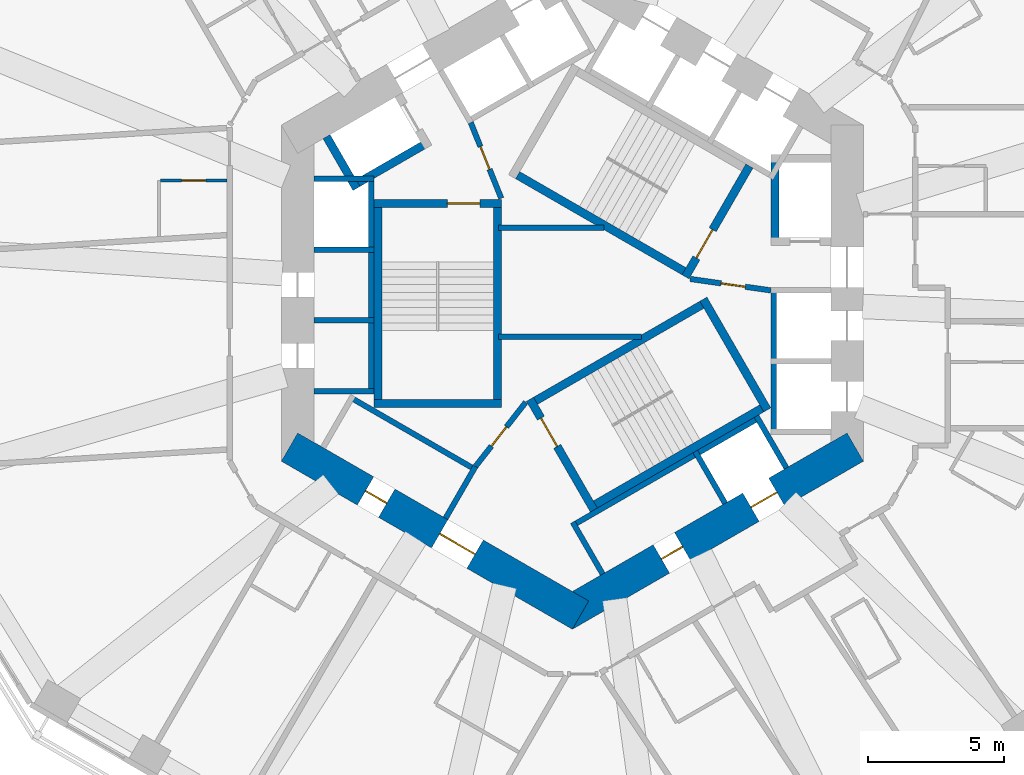
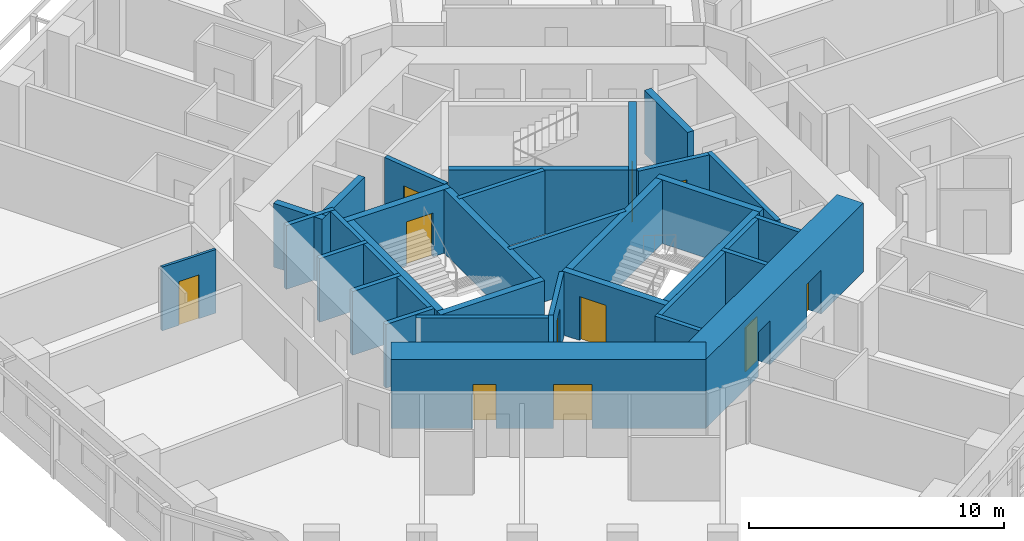
# One storey, part 5 of 12: 33 walls, 11 doors, 11 openings.
"""IFC4 building model written with IfcOpenShell, lengths in metres."""

from ifc_helpers import new_model, si_unit, direction, frame, frame_2d, origin, place, context, subcontext, project, spatial, rectangle, extrude, material, layer, layer_set, type_object, element, fill, save


model = new_model("IFC4")

# Units and contexts
model_context = context("Model", 3, precision=1e-05, world=origin(), true_north=direction((0.0, 1.0)))
body_context = subcontext(model_context, "Body", "Model", "MODEL_VIEW")
ifc_project = project(units=[si_unit("LENGTHUNIT", "METRE"), si_unit("AREAUNIT", "SQUARE_METRE"), si_unit("VOLUMEUNIT", "CUBIC_METRE"), si_unit("PLANEANGLEUNIT", "RADIAN"), si_unit("MASSUNIT", "GRAM", prefix="KILO")], contexts=[model_context])

# Site, building, storey
site_placement = place(None, origin())
site = spatial("IfcSite", under=ifc_project, at=site_placement, CompositionType="ELEMENT")
building_placement = place(site_placement, origin())
building = spatial("IfcBuilding", under=site, at=building_placement, Name="Vanh Sen Convention Tower", CompositionType="ELEMENT")
storey_placement = place(building_placement, frame((0.0, 0.0, 83.60009765625)))
storey = spatial("IfcBuildingStorey", under=building, at=storey_placement, Name="L18", CompositionType="ELEMENT", Elevation=83.60009765625)

# Wall, opening, door
ifc_material_1 = material(Name="Moisture-resistant gypsum board on steel studs", Category="steel")
ifc_layer_1 = layer(ifc_material_1, 0.1201171875)
ifc_layer_set_1 = layer_set([ifc_layer_1], Name="Moisture-resistant gypsum board on steel studs")
wall_type_1 = type_object("IfcWallType", Name="Bathroom partition 120", PredefinedType="PARTITIONING", material=ifc_layer_set_1)
wall_1_placement = place(storey_placement, frame((-15.139892578125, 4.139404296875, 0.0), z_axis=(0.0, 0.0, 1.0), x_axis=(1.0, 0.0, 0.0)))
wall_1 = element("IfcWall", 1, at=wall_1_placement, inside=storey, type_object=wall_type_1, Name="Bathroom partition 120", PredefinedType="PARTITIONING", context=body_context, shape_type="SweptSolid", body=[
    extrude(rectangle(XDim=2.43994140625, YDim=0.1201171875, at=frame_2d((1.219970703125, 0.0))), origin(), (0.0, 0.0, 1.0), 3.0498046875),
])
opening_1_placement = place(wall_1_placement, frame((0.77001953125, 0.0, 0.0)))
opening_1 = element("IfcOpeningElement", 2, at=opening_1_placement, cuts=wall_1, Name="Opening D16122", PredefinedType="OPENING", context=body_context, shape_type="SweptSolid", body=[
    extrude(rectangle(XDim=0.89990234375, YDim=2.10009765625, at=frame_2d((0.449951171875, 1.050048828125))), frame((0.0, 0.070068359375, 0.0), z_axis=(0.0, -1.0, 0.0), x_axis=(1.0, 0.0, 0.0)), (0.0, 0.0, 1.0), 0.14013671875),
])
ifc_material_2 = material(Name="Laminate door in steel frame", Category="steel")
door_type_1 = type_object("IfcDoorType", Name="En-suite door 900", OperationType="SINGLE_SWING_LEFT", PredefinedType="DOOR", material=ifc_material_2)
door_1_placement = place(opening_1_placement, origin())
door_1 = element("IfcDoor", 3, at=door_1_placement, inside=storey, type_object=door_type_1, Name="En-suite door D16122", OperationType="SINGLE_SWING_LEFT", OverallHeight=2.10009765625, OverallWidth=0.89990234375, PredefinedType="DOOR", context=body_context, shape_type="SweptSolid", body=[
    extrude(rectangle(XDim=0.89990234375, YDim=2.10009765625, at=frame_2d((0.449951171875, 1.050048828125))), frame((0.0, 0.02490234375, 0.0), z_axis=(0.0, -1.0, 0.0), x_axis=(1.0, 0.0, 0.0)), (0.0, 0.0, 1.0), 0.050048828125),
])
fill(opening_1, door_1)

# Wall, openings, doors
ifc_material_3 = material(Name="Concrete C80/95", Category="concrete")
ifc_layer_2 = layer(ifc_material_3, 1.199951171875)
ifc_layer_set_2 = layer_set([ifc_layer_2], Name="Concrete C80/95")
wall_type_2 = type_object("IfcWallType", Name="Core outer wall 1200 C80/95", PredefinedType="SHEAR", material=ifc_layer_set_2)
wall_2_placement = place(storey_placement, frame((-10.39990234375, -5.657958984375, 0.0), z_axis=(0.0, 0.0, 1.0), x_axis=(0.866021384402, -0.500006961711, 0.0)))
wall_2 = element("IfcWall", 4, at=wall_2_placement, inside=storey, type_object=wall_type_2, Name="Core wall face SW L18", PredefinedType="SHEAR", context=body_context, shape_type="SweptSolid", body=[
    extrude(rectangle(XDim=12.355224609375, YDim=1.199951171875, at=frame_2d((6.177734375, 0.0))), origin(), (0.0, 0.0, 1.0), 3.2998046875),
])
opening_2_placement = place(wall_2_placement, frame((6.377685546875, 0.0, 0.0)))
opening_2 = element("IfcOpeningElement", 5, at=opening_2_placement, cuts=wall_2, Name="Opening D16003", PredefinedType="OPENING", context=body_context, shape_type="SweptSolid", body=[
    extrude(rectangle(XDim=1.5, YDim=2.10009765625, at=frame_2d((0.75, 1.050048828125))), frame((0.0, 0.60986328125, 0.0), z_axis=(0.0, -1.0, 0.0), x_axis=(1.0, 0.0, 0.0)), (0.0, 0.0, 1.0), 1.219970703125),
])
opening_3_placement = place(wall_2_placement, frame((3.227783203125, 0.0, 0.0)))
opening_3 = element("IfcOpeningElement", 6, at=opening_3_placement, cuts=wall_2, Name="Opening D16012", PredefinedType="OPENING", context=body_context, shape_type="SweptSolid", body=[
    extrude(rectangle(XDim=0.89990234375, YDim=2.10009765625, at=frame_2d((0.449951171875, 1.050048828125))), frame((0.0, 0.60986328125, 0.0), z_axis=(0.0, -1.0, 0.0), x_axis=(1.0, 0.0, 0.0)), (0.0, 0.0, 1.0), 1.219970703125),
])
ifc_material_4 = material(Name="Steel S355", Category="steel")
door_type_2 = type_object("IfcDoorType", Name="Plant door 900", OperationType="SINGLE_SWING_LEFT", PredefinedType="DOOR", material=ifc_material_4)
door_2_placement = place(opening_3_placement, origin())
door_2 = element("IfcDoor", 7, at=door_2_placement, inside=storey, type_object=door_type_2, Name="Plant door D16012", OperationType="SINGLE_SWING_LEFT", OverallHeight=2.10009765625, OverallWidth=0.89990234375, PredefinedType="DOOR", context=body_context, shape_type="SweptSolid", body=[
    extrude(rectangle(XDim=0.89990234375, YDim=2.10009765625, at=frame_2d((0.449951171875, 1.050048828125))), frame((0.0, 0.02490234375, 0.0), z_axis=(0.0, -1.0, 0.0), x_axis=(1.0, 0.0, 0.0)), (0.0, 0.0, 1.0), 0.050048828125),
])
fill(opening_3, door_2)
door_type_3 = type_object("IfcDoorType", Name="Stair lobby door 1500", OperationType="DOUBLE_DOOR_SINGLE_SWING", PredefinedType="DOOR", material=ifc_material_4)
door_3_placement = place(opening_2_placement, origin())
door_3 = element("IfcDoor", 8, at=door_3_placement, inside=storey, type_object=door_type_3, Name="Stair lobby door D16003", OperationType="DOUBLE_DOOR_SINGLE_SWING", OverallHeight=2.10009765625, OverallWidth=1.5, PredefinedType="DOOR", context=body_context, shape_type="SweptSolid", body=[
    extrude(rectangle(XDim=1.5, YDim=2.10009765625, at=frame_2d((0.75, 1.050048828125))), frame((0.0, 0.02490234375, 0.0), z_axis=(0.0, -1.0, 0.0), x_axis=(1.0, 0.0, 0.0)), (0.0, 0.0, 1.0), 0.050048828125),
])
fill(opening_2, door_3)

wall_3_placement = place(storey_placement, frame((-0.300048828125, -11.835693359375, 0.0), z_axis=(0.0, 0.0, 1.0), x_axis=(0.866021384402, 0.500006961711, 0.0)))
wall_3 = element("IfcWall", 9, at=wall_3_placement, inside=storey, type_object=wall_type_2, Name="Core wall face SE L18", PredefinedType="SHEAR", context=body_context, shape_type="SweptSolid", body=[
    extrude(rectangle(XDim=12.355224609375, YDim=1.199951171875, at=frame_2d((6.177734375, 0.0))), origin(), (0.0, 0.0, 1.0), 3.2998046875),
])
opening_4_placement = place(wall_3_placement, frame((4.127685546875, 0.0, 0.0)))
opening_4 = element("IfcOpeningElement", 10, at=opening_4_placement, cuts=wall_3, Name="Opening D16013", PredefinedType="OPENING", context=body_context, shape_type="SweptSolid", body=[
    extrude(rectangle(XDim=0.89990234375, YDim=2.10009765625, at=frame_2d((0.449951171875, 1.050048828125))), frame((0.0, 0.60986328125, 0.0), z_axis=(0.0, -1.0, 0.0), x_axis=(1.0, 0.0, 0.0)), (0.0, 0.0, 1.0), 1.219970703125),
])
opening_5_placement = place(wall_3_placement, frame((7.927734375, 0.0, 0.0)))
opening_5 = element("IfcOpeningElement", 11, at=opening_5_placement, cuts=wall_3, Name="Opening LD-SV1", PredefinedType="OPENING", context=body_context, shape_type="SweptSolid", body=[
    extrude(rectangle(XDim=1.10009765625, YDim=2.10009765625, at=frame_2d((0.550048828125, 1.050048828125))), frame((0.0, 0.60986328125, 0.0), z_axis=(0.0, -1.0, 0.0), x_axis=(1.0, 0.0, 0.0)), (0.0, 0.0, 1.0), 1.219970703125),
])
ifc_material_5 = material(Name="Stainless steel", Category="steel")
door_type_4 = type_object("IfcDoorType", Name="Lift landing door 1100", OperationType="DOUBLE_DOOR_SLIDING", PredefinedType="DOOR", material=ifc_material_5)
door_4_placement = place(opening_5_placement, origin())
door_4 = element("IfcDoor", 12, at=door_4_placement, inside=storey, type_object=door_type_4, Name="Lift SV1 landing door LD-SV1", OperationType="DOUBLE_DOOR_SLIDING", OverallHeight=2.10009765625, OverallWidth=1.10009765625, PredefinedType="DOOR", context=body_context, shape_type="SweptSolid", body=[
    extrude(rectangle(XDim=1.10009765625, YDim=2.10009765625, at=frame_2d((0.550048828125, 1.050048828125))), frame((0.0, 0.02490234375, 0.0), z_axis=(0.0, -1.0, 0.0), x_axis=(1.0, 0.0, 0.0)), (0.0, 0.0, 1.0), 0.050048828125),
])
fill(opening_5, door_4)
door_5_placement = place(opening_4_placement, origin())
door_5 = element("IfcDoor", 13, at=door_5_placement, inside=storey, type_object=door_type_2, Name="Plant door D16013", OperationType="SINGLE_SWING_LEFT", OverallHeight=2.10009765625, OverallWidth=0.89990234375, PredefinedType="DOOR", context=body_context, shape_type="SweptSolid", body=[
    extrude(rectangle(XDim=0.89990234375, YDim=2.10009765625, at=frame_2d((0.449951171875, 1.050048828125))), frame((0.0, 0.02490234375, 0.0), z_axis=(0.0, -1.0, 0.0), x_axis=(1.0, 0.0, 0.0)), (0.0, 0.0, 1.0), 0.050048828125),
])
fill(opening_4, door_5)

# Walls
ifc_material_6 = material(Name="Masonry blockwork", Category="masonry")
ifc_layer_3 = layer(ifc_material_6, 0.199951171875)
ifc_layer_set_3 = layer_set([ifc_layer_3], Name="Masonry blockwork")
wall_type_3 = type_object("IfcWallType", Name="Core partition 200", PredefinedType="PARTITIONING", material=ifc_layer_set_3)
wall_4_placement = place(storey_placement, frame((-2.719970703125, -1.60009765625, 0.0), z_axis=(0.0, 0.0, 1.0), x_axis=(1.0, 0.0, 0.0)))
element("IfcWall", 14, at=wall_4_placement, inside=storey, type_object=wall_type_3, Name="Core partition L18", PredefinedType="PARTITIONING", context=body_context, shape_type="SweptSolid", body=[
    extrude(rectangle(XDim=5.2685546875, YDim=0.199951171875, at=frame_2d((2.63427734375, 0.0))), origin(), (0.0, 0.0, 1.0), 3.0498046875),
])
wall_5_placement = place(storey_placement, frame((-2.719970703125, 2.39990234375, 0.0), z_axis=(0.0, 0.0, 1.0), x_axis=(1.0, 0.0, 0.0)))
element("IfcWall", 15, at=wall_5_placement, inside=storey, type_object=wall_type_3, Name="Core partition L18", PredefinedType="PARTITIONING", context=body_context, shape_type="SweptSolid", body=[
    extrude(rectangle(XDim=3.883056640625, YDim=0.199951171875, at=frame_2d((1.94140625, 0.0))), origin(), (0.0, 0.0, 1.0), 3.0498046875),
])
ifc_material_7 = material(Name="Concrete C60/75", Category="concrete")
ifc_layer_4 = layer(ifc_material_7, 0.300048828125)
ifc_layer_set_4 = layer_set([ifc_layer_4], Name="Concrete C60/75")
wall_type_4 = type_object("IfcWallType", Name="Fire-fighting lift shaft wall 300", PredefinedType="SHEAR", material=ifc_layer_set_4)
wall_6_placement = place(storey_placement, frame((7.449951171875, 1.75, 0.0), z_axis=(0.0, 0.0, 1.0), x_axis=(0.0, 1.0, 0.0)))
element("IfcWall", 16, at=wall_6_placement, inside=storey, type_object=wall_type_4, Name="Fire-fighting lift shaft wall L18", PredefinedType="SHEAR", context=body_context, shape_type="SweptSolid", body=[
    extrude(rectangle(XDim=3.35009765625, YDim=0.300048828125, at=frame_2d((1.675048828125, 0.0))), origin(), (0.0, 0.0, 1.0), 3.0498046875),
])
wall_7_placement = place(storey_placement, frame((-5.240478515625, 5.576904296875, 0.0), z_axis=(0.0, 0.0, 1.0), x_axis=(-0.866014461049, -0.500018952895, 0.0)))
element("IfcWall", 17, at=wall_7_placement, inside=storey, type_object=wall_type_4, Name="Fire-fighting lift shaft wall L18", PredefinedType="SHEAR", context=body_context, shape_type="SweptSolid", body=[
    extrude(rectangle(XDim=3.349853515625, YDim=0.300048828125, at=frame_2d((1.6748046875, 0.0))), origin(), (0.0, 0.0, 1.0), 3.0498046875),
])
wall_8_placement = place(storey_placement, frame((-7.936767578125, 3.846923828125, 0.0), z_axis=(0.0, 0.0, 1.0), x_axis=(-0.50002983664, 0.866008176907, 0.0)))
element("IfcWall", 18, at=wall_8_placement, inside=storey, type_object=wall_type_4, Name="Fire-fighting lift shaft wall L18", PredefinedType="SHEAR", context=body_context, shape_type="SweptSolid", body=[
    extrude(rectangle(XDim=2.199951171875, YDim=0.300048828125, at=frame_2d((1.10009765625, 0.0))), origin(), (0.0, 0.0, 1.0), 3.0498046875),
])
ifc_material_8 = material(Name="Concrete C40/50", Category="concrete")
ifc_layer_5 = layer(ifc_material_8, 0.199951171875)
ifc_layer_set_5 = layer_set([ifc_layer_5], Name="Concrete C40/50")
wall_type_5 = type_object("IfcWallType", Name="Lift shaft wall 200", PredefinedType="PARTITIONING", material=ifc_layer_set_5)
wall_9_placement = place(storey_placement, frame((7.39990234375, -5.199951171875, 0.0), z_axis=(0.0, 0.0, 1.0), x_axis=(0.0, 1.0, 0.0)))
element("IfcWall", 19, at=wall_9_placement, inside=storey, type_object=wall_type_5, Name="Lift shaft wall L18", PredefinedType="PARTITIONING", context=body_context, shape_type="SweptSolid", body=[
    extrude(rectangle(XDim=5.39990234375, YDim=0.199951171875, at=frame_2d((2.699951171875, 0.0))), origin(), (0.0, 0.0, 1.0), 3.0498046875),
])
wall_10_placement = place(storey_placement, frame((-7.39990234375, 4.300048828125, 0.0), z_axis=(0.0, 0.0, 1.0), x_axis=(0.0, -1.0, 0.0)))
element("IfcWall", 20, at=wall_10_placement, inside=storey, type_object=wall_type_5, Name="Lift shaft wall L18", PredefinedType="PARTITIONING", context=body_context, shape_type="SweptSolid", body=[
    extrude(rectangle(XDim=8.0, YDim=0.199951171875, at=frame_2d((4.0, 0.0))), origin(), (0.0, 0.0, 1.0), 3.0498046875),
])
for number, where, z_axis, x_axis, name in (
    (21, (-7.300048828125, 4.199951171875, 0.0), (0.0, 0.0, 1.0), (-1.0, 0.0, 0.0), "Lift shaft wall L18"),
    (22, (-7.300048828125, 1.60009765625, 0.0), (0.0, 0.0, 1.0), (-1.0, 0.0, 0.0), "Lift shaft wall L18"),
    (23, (-7.300048828125, -1.0, 0.0), (0.0, 0.0, 1.0), (-1.0, 0.0, 0.0), "Lift shaft wall L18"),
    (24, (-7.300048828125, -3.60009765625, 0.0), (0.0, 0.0, 1.0), (-1.0, 0.0, 0.0), "Lift shaft wall L18"),
):
    element("IfcWall", number, at=place(storey_placement, frame(where, z_axis=z_axis, x_axis=x_axis)), inside=storey, type_object=wall_type_5, Name=name, PredefinedType="PARTITIONING", context=body_context, shape_type="SweptSolid", body=[
        extrude(rectangle(XDim=2.199951171875, YDim=0.199951171875, at=frame_2d((1.10009765625, 0.0))), origin(), (0.0, 0.0, 1.0), 3.0498046875),
    ])
wall_11_placement = place(storey_placement, frame((-8.203369140625, -3.80859375, 0.0), z_axis=(0.0, 0.0, 1.0), x_axis=(0.866028230842, -0.499995103361, 0.0)))
element("IfcWall", 25, at=wall_11_placement, inside=storey, type_object=wall_type_5, Name="Lift shaft wall L18", PredefinedType="PARTITIONING", context=body_context, shape_type="SweptSolid", body=[
    extrude(rectangle(XDim=5.39990234375, YDim=0.199951171875, at=frame_2d((2.699951171875, 0.0))), origin(), (0.0, 0.0, 1.0), 3.0498046875),
])
wall_12_placement = place(storey_placement, frame((-3.5634765625, -6.3720703125, 0.0), z_axis=(0.0, 0.0, 1.0), x_axis=(-0.499994660107, -0.866028486751, 0.0)))
element("IfcWall", 26, at=wall_12_placement, inside=storey, type_object=wall_type_5, Name="Lift shaft wall L18", PredefinedType="PARTITIONING", context=body_context, shape_type="SweptSolid", body=[
    extrude(rectangle(XDim=2.19970703125, YDim=0.199951171875, at=frame_2d((1.099853515625, 0.0))), origin(), (0.0, 0.0, 1.0), 3.0498046875),
])
wall_13_placement = place(storey_placement, frame((-0.02392578125, -8.55859375, 0.0), z_axis=(0.0, 0.0, 1.0), x_axis=(0.866026010844, 0.49999894854, 0.0)))
element("IfcWall", 27, at=wall_13_placement, inside=storey, type_object=wall_type_5, Name="Lift shaft wall L18", PredefinedType="PARTITIONING", context=body_context, shape_type="SweptSolid", body=[
    extrude(rectangle(XDim=8.0, YDim=0.199951171875, at=frame_2d((4.0, 0.0))), origin(), (0.0, 0.0, 1.0), 3.0498046875),
])
for number, where, z_axis, x_axis, name in (
    (28, (0.0126953125, -8.422119140625, 0.0), (0.0, 0.0, 1.0), (0.500077893725, -0.86598042715, 0.0), "Lift shaft wall L18"),
    (29, (4.51611328125, -5.822021484375, 0.0), (0.0, 0.0, 1.0), (0.499946605688, -0.86605622881, 0.0), "Lift shaft wall L18"),
    (30, (6.767578125, -4.52197265625, 0.0), (0.0, 0.0, 1.0), (0.50002983664, -0.866008176907, 0.0), "Lift shaft wall L18"),
):
    element("IfcWall", number, at=place(storey_placement, frame(where, z_axis=z_axis, x_axis=x_axis)), inside=storey, type_object=wall_type_5, Name=name, PredefinedType="PARTITIONING", context=body_context, shape_type="SweptSolid", body=[
        extrude(rectangle(XDim=2.199951171875, YDim=0.199951171875, at=frame_2d((1.10009765625, 0.0))), origin(), (0.0, 0.0, 1.0), 3.0498046875),
    ])

# Wall, opening, door
ifc_layer_6 = layer(ifc_material_8, 0.199951171875)
ifc_layer_set_6 = layer_set([ifc_layer_6], Name="Concrete C40/50")
wall_type_6 = type_object("IfcWallType", Name="Stair lobby wall 200", PredefinedType="PARTITIONING", material=ifc_layer_set_6)
wall_14_placement = place(storey_placement, frame((4.327392578125, 0.52099609375, 0.0), z_axis=(0.0, 0.0, 1.0), x_axis=(0.990124376366, -0.14019172346, 0.0)))
wall_14 = element("IfcWall", 31, at=wall_14_placement, inside=storey, type_object=wall_type_6, Name="Stair lobby wall L18", PredefinedType="PARTITIONING", context=body_context, shape_type="SweptSolid", body=[
    extrude(rectangle(XDim=3.002197265625, YDim=0.199951171875, at=frame_2d((1.5009765625, 0.0))), origin(), (0.0, 0.0, 1.0), 3.0498046875),
])
opening_6_placement = place(wall_14_placement, frame((1.14990234375, 0.0, 0.0)))
opening_6 = element("IfcOpeningElement", 32, at=opening_6_placement, cuts=wall_14, Name="Opening D16007", PredefinedType="OPENING", context=body_context, shape_type="SweptSolid", body=[
    extrude(rectangle(XDim=0.89990234375, YDim=2.10009765625, at=frame_2d((0.449951171875, 1.050048828125))), frame((0.0, 0.10986328125, 0.0), z_axis=(0.0, -1.0, 0.0), x_axis=(1.0, 0.0, 0.0)), (0.0, 0.0, 1.0), 0.219970703125),
])
door_6_placement = place(opening_6_placement, origin())
door_6 = element("IfcDoor", 33, at=door_6_placement, inside=storey, type_object=door_type_2, Name="Plant door D16007", OperationType="SINGLE_SWING_LEFT", OverallHeight=2.10009765625, OverallWidth=0.89990234375, PredefinedType="DOOR", context=body_context, shape_type="SweptSolid", body=[
    extrude(rectangle(XDim=0.89990234375, YDim=2.10009765625, at=frame_2d((0.449951171875, 1.050048828125))), frame((0.0, 0.02490234375, 0.0), z_axis=(0.0, -1.0, 0.0), x_axis=(1.0, 0.0, 0.0)), (0.0, 0.0, 1.0), 0.050048828125),
])
fill(opening_6, door_6)

wall_15_placement = place(storey_placement, frame((-2.614990234375, 3.487060546875, 0.0), z_axis=(0.0, 0.0, 1.0), x_axis=(-0.373576831041, 0.92759924068, 0.0)))
wall_15 = element("IfcWall", 34, at=wall_15_placement, inside=storey, type_object=wall_type_6, Name="Stair lobby wall L18", PredefinedType="PARTITIONING", context=body_context, shape_type="SweptSolid", body=[
    extrude(rectangle(XDim=3.002197265625, YDim=0.199951171875, at=frame_2d((1.5009765625, 0.0))), origin(), (0.0, 0.0, 1.0), 3.0498046875),
])
opening_7_placement = place(wall_15_placement, frame((1.14990234375, 0.0, 0.0)))
opening_7 = element("IfcOpeningElement", 35, at=opening_7_placement, cuts=wall_15, Name="Opening D16008", PredefinedType="OPENING", context=body_context, shape_type="SweptSolid", body=[
    extrude(rectangle(XDim=0.89990234375, YDim=2.10009765625, at=frame_2d((0.449951171875, 1.050048828125))), frame((0.0, 0.10986328125, 0.0), z_axis=(0.0, -1.0, 0.0), x_axis=(1.0, 0.0, 0.0)), (0.0, 0.0, 1.0), 0.219970703125),
])
door_7_placement = place(opening_7_placement, origin())
door_7 = element("IfcDoor", 36, at=door_7_placement, inside=storey, type_object=door_type_2, Name="Plant door D16008", OperationType="SINGLE_SWING_LEFT", OverallHeight=2.10009765625, OverallWidth=0.89990234375, PredefinedType="DOOR", context=body_context, shape_type="SweptSolid", body=[
    extrude(rectangle(XDim=0.89990234375, YDim=2.10009765625, at=frame_2d((0.449951171875, 1.050048828125))), frame((0.0, 0.02490234375, 0.0), z_axis=(0.0, -1.0, 0.0), x_axis=(1.0, 0.0, 0.0)), (0.0, 0.0, 1.0), 0.050048828125),
])
fill(opening_7, door_7)

wall_16_placement = place(storey_placement, frame((-1.71240234375, -4.00830078125, 0.0), z_axis=(0.0, 0.0, 1.0), x_axis=(-0.616549420702, -0.787316208287, 0.0)))
wall_16 = element("IfcWall", 37, at=wall_16_placement, inside=storey, type_object=wall_type_6, Name="Stair lobby wall L18", PredefinedType="PARTITIONING", context=body_context, shape_type="SweptSolid", body=[
    extrude(rectangle(XDim=3.002197265625, YDim=0.199951171875, at=frame_2d((1.5009765625, 0.0))), origin(), (0.0, 0.0, 1.0), 3.0498046875),
])
opening_8_placement = place(wall_16_placement, frame((1.14990234375, 0.0, 0.0)))
opening_8 = element("IfcOpeningElement", 38, at=opening_8_placement, cuts=wall_16, Name="Opening D16009", PredefinedType="OPENING", context=body_context, shape_type="SweptSolid", body=[
    extrude(rectangle(XDim=0.89990234375, YDim=2.10009765625, at=frame_2d((0.449951171875, 1.050048828125))), frame((0.0, 0.10986328125, 0.0), z_axis=(0.0, -1.0, 0.0), x_axis=(1.0, 0.0, 0.0)), (0.0, 0.0, 1.0), 0.219970703125),
])
door_8_placement = place(opening_8_placement, origin())
door_8 = element("IfcDoor", 39, at=door_8_placement, inside=storey, type_object=door_type_2, Name="Plant door D16009", OperationType="SINGLE_SWING_LEFT", OverallHeight=2.10009765625, OverallWidth=0.89990234375, PredefinedType="DOOR", context=body_context, shape_type="SweptSolid", body=[
    extrude(rectangle(XDim=0.89990234375, YDim=2.10009765625, at=frame_2d((0.449951171875, 1.050048828125))), frame((0.0, 0.02490234375, 0.0), z_axis=(0.0, -1.0, 0.0), x_axis=(1.0, 0.0, 0.0)), (0.0, 0.0, 1.0), 0.050048828125),
])
fill(opening_8, door_8)

ifc_layer_7 = layer(ifc_material_7, 0.300048828125)
ifc_layer_set_7 = layer_set([ifc_layer_7], Name="Concrete C60/75")
wall_type_7 = type_object("IfcWallType", Name="Stair wall 300", PredefinedType="SHEAR", material=ifc_layer_set_7)
wall_17_placement = place(storey_placement, frame((4.157958984375, 0.601806640625, 0.0), z_axis=(0.0, 0.0, 1.0), x_axis=(0.499977259774, 0.866038532462, 0.0)))
wall_17 = element("IfcWall", 40, at=wall_17_placement, inside=storey, type_object=wall_type_7, Name="Stair wall L18", PredefinedType="SHEAR", context=body_context, shape_type="SweptSolid", body=[
    extrude(rectangle(XDim=4.699951171875, YDim=0.300048828125, at=frame_2d((2.35009765625, 0.0))), origin(), (0.0, 0.0, 1.0), 3.0498046875),
])
opening_9_placement = place(wall_17_placement, frame((0.800048828125, 0.0, 0.0)))
opening_9 = element("IfcOpeningElement", 41, at=opening_9_placement, cuts=wall_17, Name="Opening D16004", PredefinedType="OPENING", context=body_context, shape_type="SweptSolid", body=[
    extrude(rectangle(XDim=1.199951171875, YDim=2.10009765625, at=frame_2d((0.60009765625, 1.050048828125))), frame((0.0, 0.159912109375, 0.0), z_axis=(0.0, -1.0, 0.0), x_axis=(1.0, 0.0, 0.0)), (0.0, 0.0, 1.0), 0.320068359375),
])
door_type_5 = type_object("IfcDoorType", Name="Stair door 1200", OperationType="SINGLE_SWING_RIGHT", PredefinedType="DOOR", material=ifc_material_4)
door_9_placement = place(opening_9_placement, origin())
door_9 = element("IfcDoor", 42, at=door_9_placement, inside=storey, type_object=door_type_5, Name="Stair ST1 door D16004", OperationType="SINGLE_SWING_RIGHT", OverallHeight=2.10009765625, OverallWidth=1.199951171875, PredefinedType="DOOR", context=body_context, shape_type="SweptSolid", body=[
    extrude(rectangle(XDim=1.199951171875, YDim=2.10009765625, at=frame_2d((0.60009765625, 1.050048828125))), frame((0.0, 0.02490234375, 0.0), z_axis=(0.0, -1.0, 0.0), x_axis=(1.0, 0.0, 0.0)), (0.0, 0.0, 1.0), 0.050048828125),
])
fill(opening_9, door_9)

# Wall
wall_18_placement = place(storey_placement, frame((4.10302734375, 0.806640625, 0.0), z_axis=(0.0, 0.0, 1.0), x_axis=(-0.866027801685, 0.499995846692, 0.0)))
element("IfcWall", 43, at=wall_18_placement, inside=storey, type_object=wall_type_7, Name="Stair wall L18", PredefinedType="SHEAR", context=body_context, shape_type="SweptSolid", body=[
    extrude(rectangle(XDim=7.06005859375, YDim=0.300048828125, at=frame_2d((3.530029296875, 0.0))), origin(), (0.0, 0.0, 1.0), 3.0498046875),
])

# Wall, opening, door
wall_19_placement = place(storey_placement, frame((-2.60009765625, 3.300048828125, 0.0), z_axis=(0.0, 0.0, 1.0), x_axis=(-1.0, 0.0, 0.0)))
wall_19 = element("IfcWall", 44, at=wall_19_placement, inside=storey, type_object=wall_type_7, Name="Stair wall L18", PredefinedType="SHEAR", context=body_context, shape_type="SweptSolid", body=[
    extrude(rectangle(XDim=4.699951171875, YDim=0.300048828125, at=frame_2d((2.35009765625, 0.0))), origin(), (0.0, 0.0, 1.0), 3.0498046875),
])
opening_10_placement = place(wall_19_placement, frame((0.800048828125, 0.0, 0.0)))
opening_10 = element("IfcOpeningElement", 45, at=opening_10_placement, cuts=wall_19, Name="Opening D16005", PredefinedType="OPENING", context=body_context, shape_type="SweptSolid", body=[
    extrude(rectangle(XDim=1.199951171875, YDim=2.10009765625, at=frame_2d((0.60009765625, 1.050048828125))), frame((0.0, 0.159912109375, 0.0), z_axis=(0.0, -1.0, 0.0), x_axis=(1.0, 0.0, 0.0)), (0.0, 0.0, 1.0), 0.320068359375),
])
door_10_placement = place(opening_10_placement, origin())
door_10 = element("IfcDoor", 46, at=door_10_placement, inside=storey, type_object=door_type_5, Name="Stair ST2 door D16005", OperationType="SINGLE_SWING_RIGHT", OverallHeight=2.10009765625, OverallWidth=1.199951171875, PredefinedType="DOOR", context=body_context, shape_type="SweptSolid", body=[
    extrude(rectangle(XDim=1.199951171875, YDim=2.10009765625, at=frame_2d((0.60009765625, 1.050048828125))), frame((0.0, 0.02490234375, 0.0), z_axis=(0.0, -1.0, 0.0), x_axis=(1.0, 0.0, 0.0)), (0.0, 0.0, 1.0), 0.050048828125),
])
fill(opening_10, door_10)

# Walls
wall_20_placement = place(storey_placement, frame((-2.60009765625, -4.06005859375, 0.0), z_axis=(0.0, 0.0, 1.0), x_axis=(-1.0, 0.0, 0.0)))
element("IfcWall", 47, at=wall_20_placement, inside=storey, type_object=wall_type_7, Name="Stair wall L18", PredefinedType="SHEAR", context=body_context, shape_type="SweptSolid", body=[
    extrude(rectangle(XDim=4.699951171875, YDim=0.300048828125, at=frame_2d((2.35009765625, 0.0))), origin(), (0.0, 0.0, 1.0), 3.0498046875),
])
for number, where, z_axis, x_axis, name in (
    (48, (-2.75, 3.14990234375, 0.0), (0.0, 0.0, 1.0), (0.0, -1.0, 0.0), "Stair wall L18"),
    (49, (-7.14990234375, 3.14990234375, 0.0), (0.0, 0.0, 1.0), (0.0, -1.0, 0.0), "Stair wall L18"),
):
    element("IfcWall", number, at=place(storey_placement, frame(where, z_axis=z_axis, x_axis=x_axis)), inside=storey, type_object=wall_type_7, Name=name, PredefinedType="SHEAR", context=body_context, shape_type="SweptSolid", body=[
        extrude(rectangle(XDim=7.059814453125, YDim=0.300048828125, at=frame_2d((3.52978515625, 0.0))), origin(), (0.0, 0.0, 1.0), 3.0498046875),
    ])

# Wall, opening, door
wall_21_placement = place(storey_placement, frame((-1.557861328125, -3.901611328125, 0.0), z_axis=(0.0, 0.0, 1.0), x_axis=(0.499977259774, -0.866038532462, 0.0)))
wall_21 = element("IfcWall", 50, at=wall_21_placement, inside=storey, type_object=wall_type_7, Name="Stair wall L18", PredefinedType="SHEAR", context=body_context, shape_type="SweptSolid", body=[
    extrude(rectangle(XDim=4.699951171875, YDim=0.300048828125, at=frame_2d((2.35009765625, 0.0))), origin(), (0.0, 0.0, 1.0), 3.0498046875),
])
opening_11_placement = place(wall_21_placement, frame((0.800048828125, 0.0, 0.0)))
opening_11 = element("IfcOpeningElement", 51, at=opening_11_placement, cuts=wall_21, Name="Opening D16006", PredefinedType="OPENING", context=body_context, shape_type="SweptSolid", body=[
    extrude(rectangle(XDim=1.199951171875, YDim=2.10009765625, at=frame_2d((0.60009765625, 1.050048828125))), frame((0.0, 0.159912109375, 0.0), z_axis=(0.0, -1.0, 0.0), x_axis=(1.0, 0.0, 0.0)), (0.0, 0.0, 1.0), 0.320068359375),
])
door_11_placement = place(opening_11_placement, origin())
door_11 = element("IfcDoor", 52, at=door_11_placement, inside=storey, type_object=door_type_5, Name="Stair ST3 door D16006", OperationType="SINGLE_SWING_RIGHT", OverallHeight=2.10009765625, OverallWidth=1.199951171875, PredefinedType="DOOR", context=body_context, shape_type="SweptSolid", body=[
    extrude(rectangle(XDim=1.199951171875, YDim=2.10009765625, at=frame_2d((0.60009765625, 1.050048828125))), frame((0.0, 0.02490234375, 0.0), z_axis=(0.0, -1.0, 0.0), x_axis=(1.0, 0.0, 0.0)), (0.0, 0.0, 1.0), 0.050048828125),
])
fill(opening_11, door_11)

# Walls
wall_22_placement = place(storey_placement, frame((4.816162109375, -0.2216796875, 0.0), z_axis=(0.0, 0.0, 1.0), x_axis=(0.499977259774, -0.866038532462, 0.0)))
element("IfcWall", 53, at=wall_22_placement, inside=storey, type_object=wall_type_7, Name="Stair wall L18", PredefinedType="SHEAR", context=body_context, shape_type="SweptSolid", body=[
    extrude(rectangle(XDim=4.699951171875, YDim=0.300048828125, at=frame_2d((2.35009765625, 0.0))), origin(), (0.0, 0.0, 1.0), 3.0498046875),
])
for number, where, z_axis, x_axis, name in (
    (54, (-1.35302734375, -3.95654296875, 0.0), (0.0, 0.0, 1.0), (0.866027801685, 0.499995846692, 0.0), "Stair wall L18"),
    (55, (0.846923828125, -7.76708984375, 0.0), (0.0, 0.0, 1.0), (0.866027801685, 0.499995846692, 0.0), "Stair wall L18"),
):
    element("IfcWall", number, at=place(storey_placement, frame(where, z_axis=z_axis, x_axis=x_axis)), inside=storey, type_object=wall_type_7, Name=name, PredefinedType="SHEAR", context=body_context, shape_type="SweptSolid", body=[
        extrude(rectangle(XDim=7.06005859375, YDim=0.300048828125, at=frame_2d((3.530029296875, 0.0))), origin(), (0.0, 0.0, 1.0), 3.0498046875),
    ])

save(model, "model.ifc")
